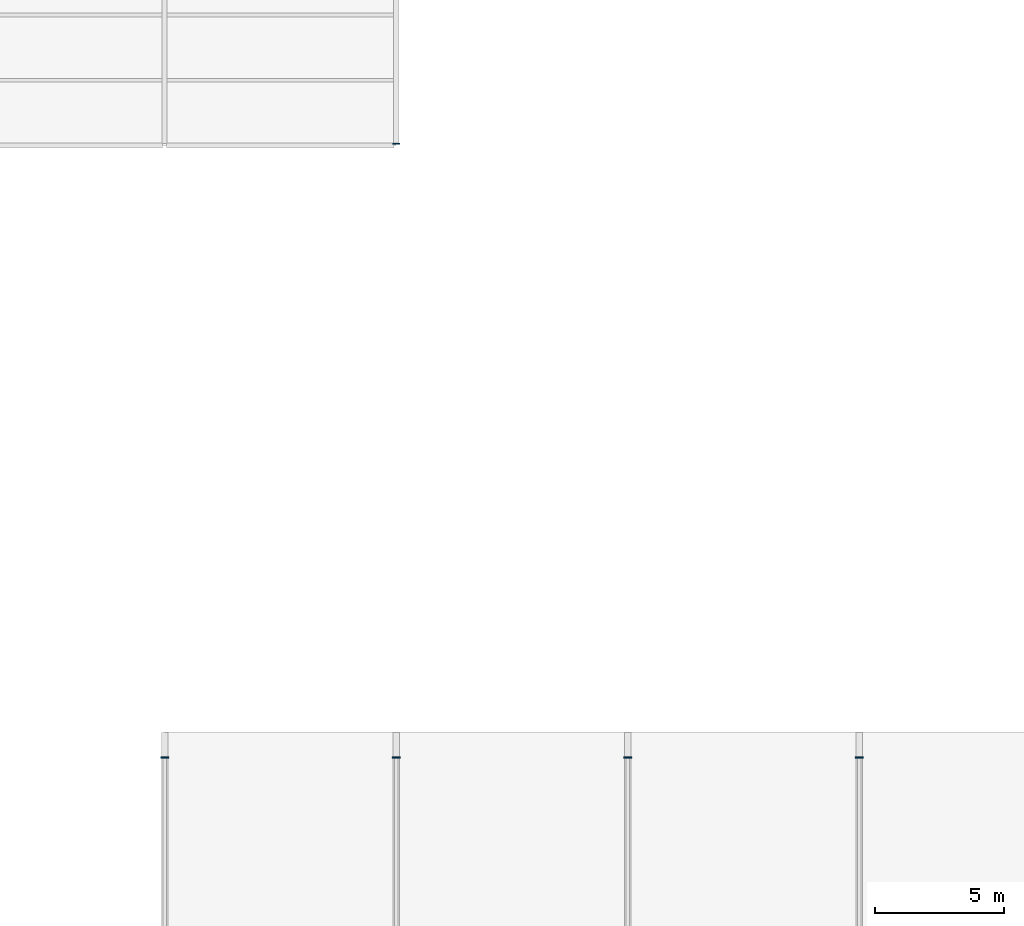
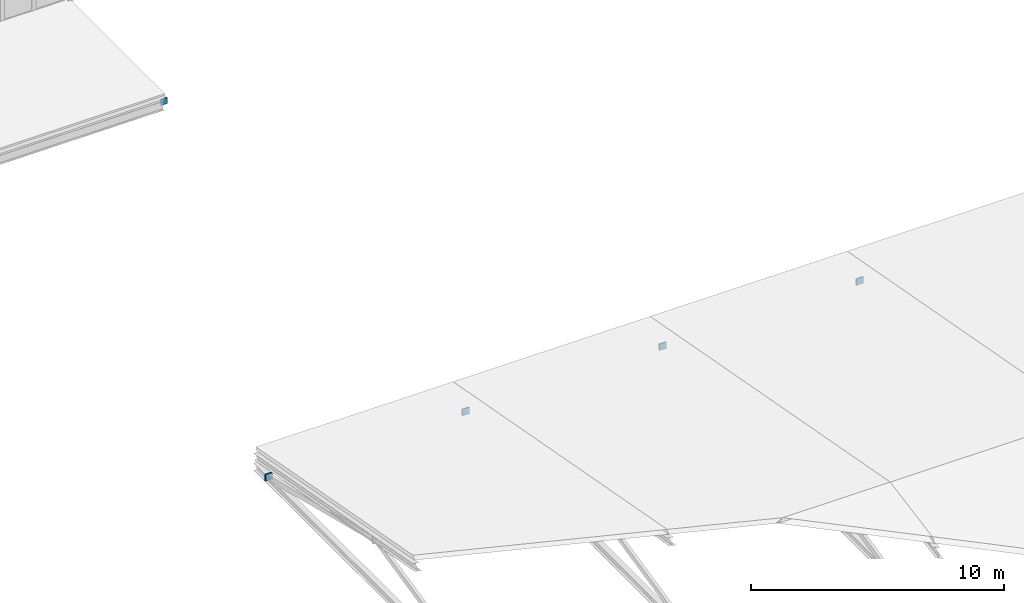
# One storey, part 82 of 96: 5 plates.
"""IFC4 building model written with IfcOpenShell, lengths in metres."""

from ifc_helpers import new_model, si_unit, direction, frame, origin, origin_2d, place, context, subcontext, project, spatial, rectangle, extrude, material, layer, layer_set, type_object, element, save


model = new_model("IFC4")

# Units and contexts
model_context = context("Model", 3, precision=1e-05, world=origin(), true_north=direction((0.0, 1.0)))
body_context = subcontext(model_context, "Body", "Model", "MODEL_VIEW")
ifc_project = project(units=[si_unit("LENGTHUNIT", "METRE"), si_unit("AREAUNIT", "SQUARE_METRE"), si_unit("VOLUMEUNIT", "CUBIC_METRE"), si_unit("PLANEANGLEUNIT", "RADIAN"), si_unit("MASSUNIT", "GRAM", prefix="KILO")], contexts=[model_context])

# Site, building, storey
site_placement = place(None, origin())
site = spatial("IfcSite", under=ifc_project, at=site_placement, CompositionType="ELEMENT")
building_placement = place(site_placement, origin())
building = spatial("IfcBuilding", under=site, at=building_placement, Name="Caisbarro Railhouse Central Library", CompositionType="ELEMENT")
storey_placement = place(building_placement, frame((0.0, 0.0, 13.679931640625)))
storey = spatial("IfcBuildingStorey", under=building, at=storey_placement, Name="L03", CompositionType="ELEMENT", Elevation=13.679931640625)

# Plates
ifc_material = material(Name="Steel ASTM A572 Grade 50", Category="steel")
ifc_layer_1 = layer(ifc_material, 0.044921875, Name="Steel ASTM A572 Grade 50")
ifc_layer_set_1 = layer_set([ifc_layer_1], Name="Steel ASTM A572 Grade 50")
plate_type_1 = type_object("IfcPlateType", Name="PLT-EP01", PredefinedType="SHEET", material=ifc_layer_set_1)
plate_placement = place(storey_placement, frame((153.0, 60.867919921875, -0.47998046875), z_axis=(0.0, 0.0, 1.0), x_axis=(0.0, 1.0, 0.0)))
element("IfcPlate", 1, at=plate_placement, inside=storey, type_object=plate_type_1, Name="EP01 end cap plate", PredefinedType="SHEET", context=body_context, shape_type="SweptSolid", body=[
    extrude(rectangle(XDim=0.044921875, YDim=0.280029296875, at=origin_2d()), origin(), (0.0, 0.0, 1.0), 0.300048828125),
])
ifc_layer_2 = layer(ifc_material, 0.054931640625, Name="Steel ASTM A572 Grade 50")
ifc_layer_set_2 = layer_set([ifc_layer_2], Name="Steel ASTM A572 Grade 50")
plate_type_2 = type_object("IfcPlateType", Name="PLT-EP02", PredefinedType="SHEET", material=ifc_layer_set_2)
for number, where, z_axis, x_axis, name in (
    (2, (144.0, 37.01171875, -0.99267578125), (0.0, 0.0, 1.0), (0.0, 1.0, 0.0), "EP02 end cap plate"),
    (3, (153.0, 37.01171875, -0.99267578125), (0.0, 0.0, 1.0), (0.0, 1.0, 0.0), "EP02 end cap plate"),
    (4, (162.0, 37.01171875, -0.99267578125), (0.0, 0.0, 1.0), (0.0, 1.0, 0.0), "EP02 end cap plate"),
    (5, (171.0, 37.01171875, -0.99267578125), (0.0, 0.0, 1.0), (0.0, 1.0, 0.0), "EP02 end cap plate"),
):
    element("IfcPlate", number, at=place(storey_placement, frame(where, z_axis=z_axis, x_axis=x_axis)), inside=storey, type_object=plate_type_2, Name=name, PredefinedType="SHEET", context=body_context, shape_type="SweptSolid", body=[
        extrude(rectangle(XDim=0.054931640625, YDim=0.320068359375, at=origin_2d()), origin(), (0.0, 0.0, 1.0), 0.320068359375),
    ])

save(model, "model.ifc")
